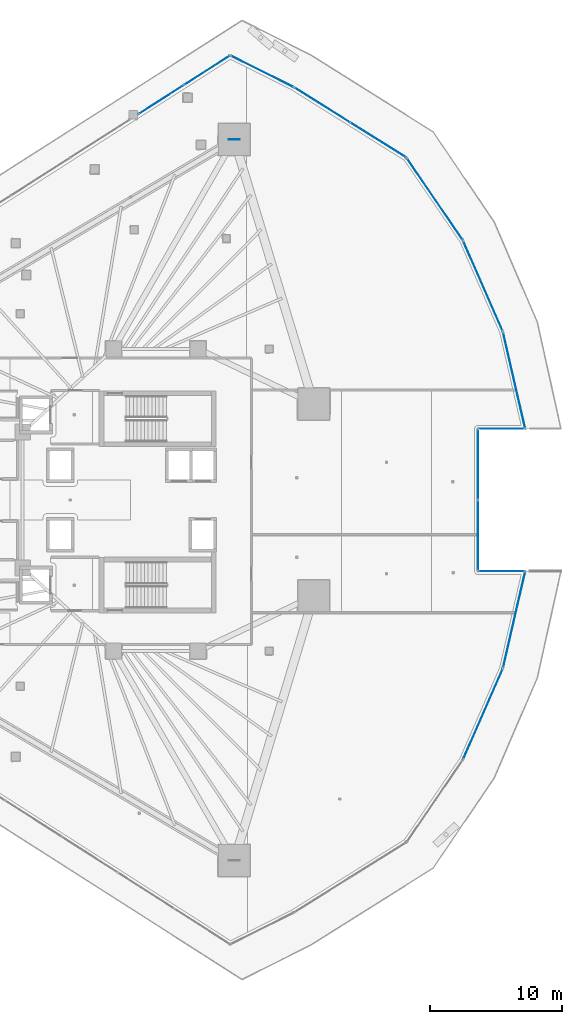
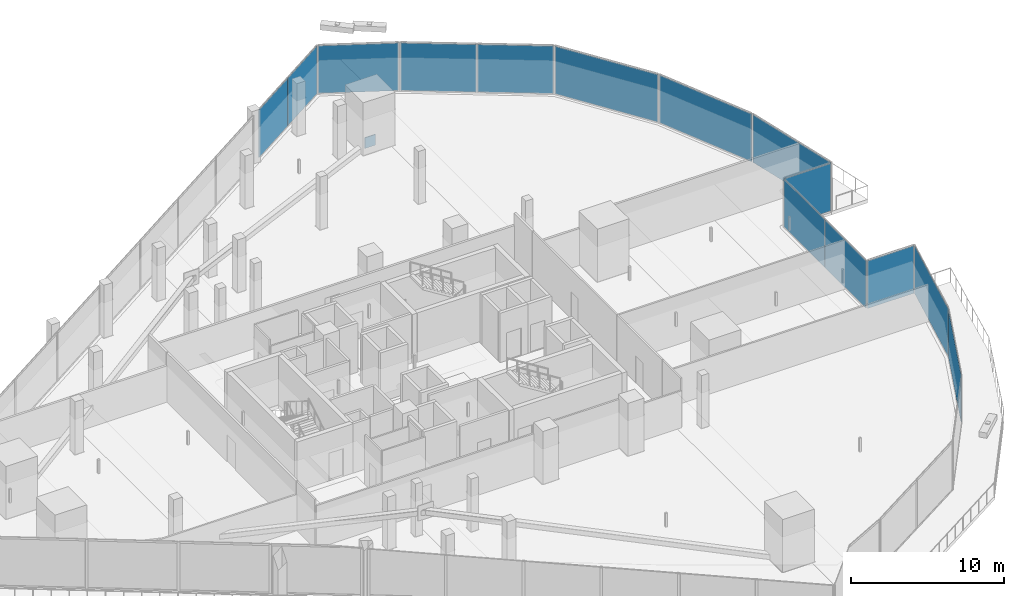
# One storey, part 29 of 43: 15 plates, 11 elements without a shape of their own.
"""IFC4 building model written with IfcOpenShell, lengths in metres."""

from ifc_helpers import new_model, si_unit, direction, frame, origin, origin_2d, place, context, subcontext, project, spatial, rectangle, extrude, material, layer, layer_set, type_object, element, aggregate, save


model = new_model("IFC4")

# Units and contexts
model_context = context("Model", 3, precision=1e-05, world=origin(), true_north=direction((0.0, 1.0)))
body_context = subcontext(model_context, "Body", "Model", "MODEL_VIEW")
ifc_project = project(units=[si_unit("LENGTHUNIT", "METRE"), si_unit("AREAUNIT", "SQUARE_METRE"), si_unit("VOLUMEUNIT", "CUBIC_METRE"), si_unit("PLANEANGLEUNIT", "RADIAN"), si_unit("MASSUNIT", "GRAM", prefix="KILO")], contexts=[model_context])

# Site, building, storey
site_placement = place(None, origin())
site = spatial("IfcSite", under=ifc_project, at=site_placement, CompositionType="ELEMENT")
building_placement = place(site_placement, origin())
building = spatial("IfcBuilding", under=site, at=building_placement, Name="Qorvath Tower", CompositionType="ELEMENT")
storey_placement = place(building_placement, frame((0.0, 0.0, 36.60009765625)))
storey = spatial("IfcBuildingStorey", under=building, at=storey_placement, Name="L07", CompositionType="ELEMENT", Elevation=36.60009765625)

# Curtain wall, plate
ifc_material_1 = material(Name="Anodised aluminium and triple low-E glass", Category="aluminium")
ifc_layer_1 = layer(ifc_material_1, 0.179931640625)
ifc_layer_set_1 = layer_set([ifc_layer_1], Name="CW-SYS-2")
curtain_wall_type = type_object("IfcCurtainWallType", Name="CW-SYS-2", PredefinedType="NOTDEFINED", material=ifc_layer_set_1)
curtain_wall_1_placement = place(storey_placement, origin())
curtain_wall_1 = element("IfcCurtainWall", 1, at=curtain_wall_1_placement, inside=storey, type_object=curtain_wall_type, Name="Curtain Wall CW-2 CW-T-L07-6.1", PredefinedType="NOTDEFINED")
ifc_material_2 = material(Name="Low-E triple insulated glass", Category="glass")
ifc_layer_2 = layer(ifc_material_2, 0.031982421875)
ifc_layer_set_2 = layer_set([ifc_layer_2], Name="CWP-GLZ-32")
plate_type_1 = type_object("IfcPlateType", Name="CWP-GLZ-32", PredefinedType="CURTAIN_PANEL", material=ifc_layer_set_2)
plate_1_placement = place(storey_placement, frame((4.39013671875, -16.23388671875, 0.06494140625), z_axis=(0.0, 0.0, 1.0), x_axis=(0.401118455419, 0.91602619216, 0.0)))
plate_1 = element("IfcPlate", 2, at=plate_1_placement, type_object=plate_type_1, Name="CW-2 panel 1.1", PredefinedType="CURTAIN_PANEL", context=body_context, shape_type="SweptSolid", body=[
    extrude(rectangle(XDim=7.43310546875, YDim=0.031982421875, at=origin_2d()), origin(), (0.0, 0.0, 1.0), 3.789794921875),
])
aggregate(curtain_wall_1, [plate_1])

curtain_wall_2_placement = place(storey_placement, origin())
curtain_wall_2 = element("IfcCurtainWall", 3, at=curtain_wall_2_placement, inside=storey, type_object=curtain_wall_type, Name="Curtain Wall CW-2 CW-T-L07-7.1", PredefinedType="NOTDEFINED")
plate_2_placement = place(storey_placement, frame((6.755859375, -9.0849609375, 0.06494140625), z_axis=(0.0, 0.0, 1.0), x_axis=(0.22447129445, 0.974480701691, 0.0)))
plate_2 = element("IfcPlate", 4, at=plate_2_placement, type_object=plate_type_1, Name="CW-2 panel 1.1", PredefinedType="CURTAIN_PANEL", context=body_context, shape_type="SweptSolid", body=[
    extrude(rectangle(XDim=7.43310546875, YDim=0.031982421875, at=origin_2d()), origin(), (0.0, 0.0, 1.0), 3.789794921875),
])
aggregate(curtain_wall_2, [plate_2])

curtain_wall_3_placement = place(storey_placement, origin())
curtain_wall_3 = element("IfcCurtainWall", 5, at=curtain_wall_3_placement, inside=storey, type_object=curtain_wall_type, Name="Curtain Wall CW-2 CW-T-L07-8.1", PredefinedType="NOTDEFINED")
plate_3_placement = place(storey_placement, frame((5.8046875, -5.39990234375, 0.06494140625), z_axis=(0.0, 0.0, 1.0), x_axis=(-1.0, 0.0, 0.0)))
plate_3 = element("IfcPlate", 6, at=plate_3_placement, type_object=plate_type_1, Name="CW-2 panel 1.1", PredefinedType="CURTAIN_PANEL", context=body_context, shape_type="SweptSolid", body=[
    extrude(rectangle(XDim=3.4697265625, YDim=0.031982421875, at=origin_2d()), origin(), (0.0, 0.0, 1.0), 3.789794921875),
])
aggregate(curtain_wall_3, [plate_3])

# Curtain wall, plates
curtain_wall_4_placement = place(storey_placement, origin())
curtain_wall_4 = element("IfcCurtainWall", 7, at=curtain_wall_4_placement, inside=storey, type_object=curtain_wall_type, Name="Curtain Wall CW-2 CW-T-L07-9.1", PredefinedType="NOTDEFINED")
plate_4_placement = place(storey_placement, frame((4.0048828125, -2.68359375, 0.06494140625), z_axis=(0.0, 0.0, 1.0), x_axis=(0.0, 1.0, 0.0)))
plate_4 = element("IfcPlate", 8, at=plate_4_placement, type_object=plate_type_1, Name="CW-2 panel 1.1", PredefinedType="CURTAIN_PANEL", context=body_context, shape_type="SweptSolid", body=[
    extrude(rectangle(XDim=5.302490234375, YDim=0.031982421875, at=origin_2d()), origin(), (0.0, 0.0, 1.0), 3.789794921875),
])
plate_5_placement = place(storey_placement, frame((4.0048828125, 2.68359375, 0.06494140625), z_axis=(0.0, 0.0, 1.0), x_axis=(0.0, 1.0, 0.0)))
plate_5 = element("IfcPlate", 9, at=plate_5_placement, type_object=plate_type_1, Name="CW-2 panel 2.1", PredefinedType="CURTAIN_PANEL", context=body_context, shape_type="SweptSolid", body=[
    extrude(rectangle(XDim=5.302490234375, YDim=0.031982421875, at=origin_2d()), origin(), (0.0, 0.0, 1.0), 3.789794921875),
])
aggregate(curtain_wall_4, [plate_4, plate_5])

# Curtain wall, plate
curtain_wall_5_placement = place(storey_placement, origin())
curtain_wall_5 = element("IfcCurtainWall", 10, at=curtain_wall_5_placement, inside=storey, type_object=curtain_wall_type, Name="Curtain Wall CW-2 CW-T-L07-10.1", PredefinedType="NOTDEFINED")
plate_6_placement = place(storey_placement, frame((5.8046875, 5.39990234375, 0.06494140625), z_axis=(0.0, 0.0, 1.0), x_axis=(1.0, 0.0, 0.0)))
plate_6 = element("IfcPlate", 11, at=plate_6_placement, type_object=plate_type_1, Name="CW-2 panel 1.1", PredefinedType="CURTAIN_PANEL", context=body_context, shape_type="SweptSolid", body=[
    extrude(rectangle(XDim=3.4697265625, YDim=0.031982421875, at=origin_2d()), origin(), (0.0, 0.0, 1.0), 3.789794921875),
])
aggregate(curtain_wall_5, [plate_6])

curtain_wall_6_placement = place(storey_placement, origin())
curtain_wall_6 = element("IfcCurtainWall", 12, at=curtain_wall_6_placement, inside=storey, type_object=curtain_wall_type, Name="Curtain Wall CW-2 CW-T-L07-11.1", PredefinedType="NOTDEFINED")
plate_7_placement = place(storey_placement, frame((6.755859375, 9.0849609375, 0.06494140625), z_axis=(0.0, 0.0, 1.0), x_axis=(-0.22447129445, 0.974480701691, 0.0)))
plate_7 = element("IfcPlate", 13, at=plate_7_placement, type_object=plate_type_1, Name="CW-2 panel 1.1", PredefinedType="CURTAIN_PANEL", context=body_context, shape_type="SweptSolid", body=[
    extrude(rectangle(XDim=7.43310546875, YDim=0.031982421875, at=origin_2d()), origin(), (0.0, 0.0, 1.0), 3.789794921875),
])
aggregate(curtain_wall_6, [plate_7])

curtain_wall_7_placement = place(storey_placement, origin())
curtain_wall_7 = element("IfcCurtainWall", 14, at=curtain_wall_7_placement, inside=storey, type_object=curtain_wall_type, Name="Curtain Wall CW-2 CW-T-L07-12.1", PredefinedType="NOTDEFINED")
plate_8_placement = place(storey_placement, frame((4.39013671875, 16.23388671875, 0.06494140625), z_axis=(0.0, 0.0, 1.0), x_axis=(-0.401118455419, 0.91602619216, 0.0)))
plate_8 = element("IfcPlate", 15, at=plate_8_placement, type_object=plate_type_1, Name="CW-2 panel 1.1", PredefinedType="CURTAIN_PANEL", context=body_context, shape_type="SweptSolid", body=[
    extrude(rectangle(XDim=7.43310546875, YDim=0.031982421875, at=origin_2d()), origin(), (0.0, 0.0, 1.0), 3.789794921875),
])
aggregate(curtain_wall_7, [plate_8])

curtain_wall_8_placement = place(storey_placement, origin())
curtain_wall_8 = element("IfcCurtainWall", 16, at=curtain_wall_8_placement, inside=storey, type_object=curtain_wall_type, Name="Curtain Wall CW-2 CW-T-L07-13.1", PredefinedType="NOTDEFINED")
plate_9_placement = place(storey_placement, frame((0.7412109375, 22.82080078125, 0.06494140625), z_axis=(0.0, 0.0, 1.0), x_axis=(-0.563869271406, 0.825864059494, 0.0)))
plate_9 = element("IfcPlate", 17, at=plate_9_placement, type_object=plate_type_1, Name="CW-2 panel 1.1", PredefinedType="CURTAIN_PANEL", context=body_context, shape_type="SweptSolid", body=[
    extrude(rectangle(XDim=7.432861328125, YDim=0.031982421875, at=origin_2d()), origin(), (0.0, 0.0, 1.0), 3.789794921875),
])
aggregate(curtain_wall_8, [plate_9])

# Curtain wall, plates
curtain_wall_9_placement = place(storey_placement, origin())
curtain_wall_9 = element("IfcCurtainWall", 18, at=curtain_wall_9_placement, inside=storey, type_object=curtain_wall_type, Name="Curtain Wall CW-2 CW-T-L07-14.1", PredefinedType="NOTDEFINED")
plate_10_placement = place(storey_placement, frame((-3.54541015625, 27.289306640625, 0.06494140625), z_axis=(0.0, 0.0, 1.0), x_axis=(-0.848141855919, 0.529769187701, 0.0)))
plate_10 = element("IfcPlate", 19, at=plate_10_placement, type_object=plate_type_1, Name="CW-2 panel 1.1", PredefinedType="CURTAIN_PANEL", context=body_context, shape_type="SweptSolid", body=[
    extrude(rectangle(XDim=4.949951171875, YDim=0.031982421875, at=origin_2d()), origin(), (0.0, 0.0, 1.0), 3.789794921875),
])
plate_11_placement = place(storey_placement, frame((-7.798583984375, 29.946044921875, 0.06494140625), z_axis=(0.0, 0.0, 1.0), x_axis=(-0.848141855919, 0.529769187701, 0.0)))
plate_11 = element("IfcPlate", 20, at=plate_11_placement, type_object=plate_type_1, Name="CW-2 panel 2.1", PredefinedType="CURTAIN_PANEL", context=body_context, shape_type="SweptSolid", body=[
    extrude(rectangle(XDim=4.949951171875, YDim=0.031982421875, at=origin_2d()), origin(), (0.0, 0.0, 1.0), 3.789794921875),
])
aggregate(curtain_wall_9, [plate_10, plate_11])

# Curtain wall, plate
curtain_wall_10_placement = place(storey_placement, origin())
curtain_wall_10 = element("IfcCurtainWall", 21, at=curtain_wall_10_placement, inside=storey, type_object=curtain_wall_type, Name="Curtain Wall CW-2 CW-T-L07-15.1", PredefinedType="NOTDEFINED")
plate_12_placement = place(storey_placement, frame((-12.360107421875, 32.4951171875, 0.06494140625), z_axis=(0.0, 0.0, 1.0), x_axis=(-0.894434622514, 0.447198732162, 0.0)))
plate_12 = element("IfcPlate", 22, at=plate_12_placement, type_object=plate_type_1, Name="CW-2 panel 1.1", PredefinedType="CURTAIN_PANEL", context=body_context, shape_type="SweptSolid", body=[
    extrude(rectangle(XDim=5.25244140625, YDim=0.031982421875, at=origin_2d()), origin(), (0.0, 0.0, 1.0), 3.789794921875),
])
aggregate(curtain_wall_10, [plate_12])

# Curtain wall, plates
curtain_wall_11_placement = place(storey_placement, origin())
curtain_wall_11 = element("IfcCurtainWall", 23, at=curtain_wall_11_placement, inside=storey, type_object=curtain_wall_type, Name="Curtain Wall CW-2 CW-T-L07-16.1", PredefinedType="NOTDEFINED")
plate_13_placement = place(storey_placement, frame((-16.529296875, 32.572509765625, 0.06494140625), z_axis=(0.0, 0.0, 1.0), x_axis=(-0.842600746059, -0.538538747669, 0.0)))
plate_13 = element("IfcPlate", 24, at=plate_13_placement, type_object=plate_type_1, Name="CW-2 panel 1.1", PredefinedType="CURTAIN_PANEL", context=body_context, shape_type="SweptSolid", body=[
    extrude(rectangle(XDim=4.052734375, YDim=0.031982421875, at=origin_2d()), origin(), (0.0, 0.0, 1.0), 3.789794921875),
])
plate_14_placement = place(storey_placement, frame((-19.9990234375, 30.354736328125, 0.06494140625), z_axis=(0.0, 0.0, 1.0), x_axis=(-0.842600746059, -0.538538747669, 0.0)))
plate_14 = element("IfcPlate", 25, at=plate_14_placement, type_object=plate_type_1, Name="CW-2 panel 2.1", PredefinedType="CURTAIN_PANEL", context=body_context, shape_type="SweptSolid", body=[
    extrude(rectangle(XDim=4.052734375, YDim=0.031982421875, at=origin_2d()), origin(), (0.0, 0.0, 1.0), 3.789794921875),
])
aggregate(curtain_wall_11, [plate_13, plate_14])

# Plate
ifc_material_3 = material(Name="Steel ASTM A572 Grade 50", Category="steel")
ifc_layer_3 = layer(ifc_material_3, 0.054931640625)
ifc_layer_set_3 = layer_set([ifc_layer_3], Name="PL-MBN1")
plate_type_2 = type_object("IfcPlateType", Name="PL-MBN1", PredefinedType="USERDEFINED", material=ifc_layer_set_3)
plate_15_placement = place(storey_placement, frame((-14.46435546875, 27.330810546875, -0.425048828125), z_axis=(0.0, 0.0, 1.0), x_axis=(1.0, 0.0, 0.0)))
element("IfcPlate", 26, at=plate_15_placement, inside=storey, type_object=plate_type_2, Name="Brace Strut End Gusset Plate NDBG-073", ObjectType="GUSSET", PredefinedType="USERDEFINED", context=body_context, shape_type="SweptSolid", body=[
    extrude(rectangle(XDim=0.800048828125, YDim=0.054931640625, at=origin_2d()), origin(), (0.0, 0.0, 1.0), 0.85009765625),
])

save(model, "model.ifc")
